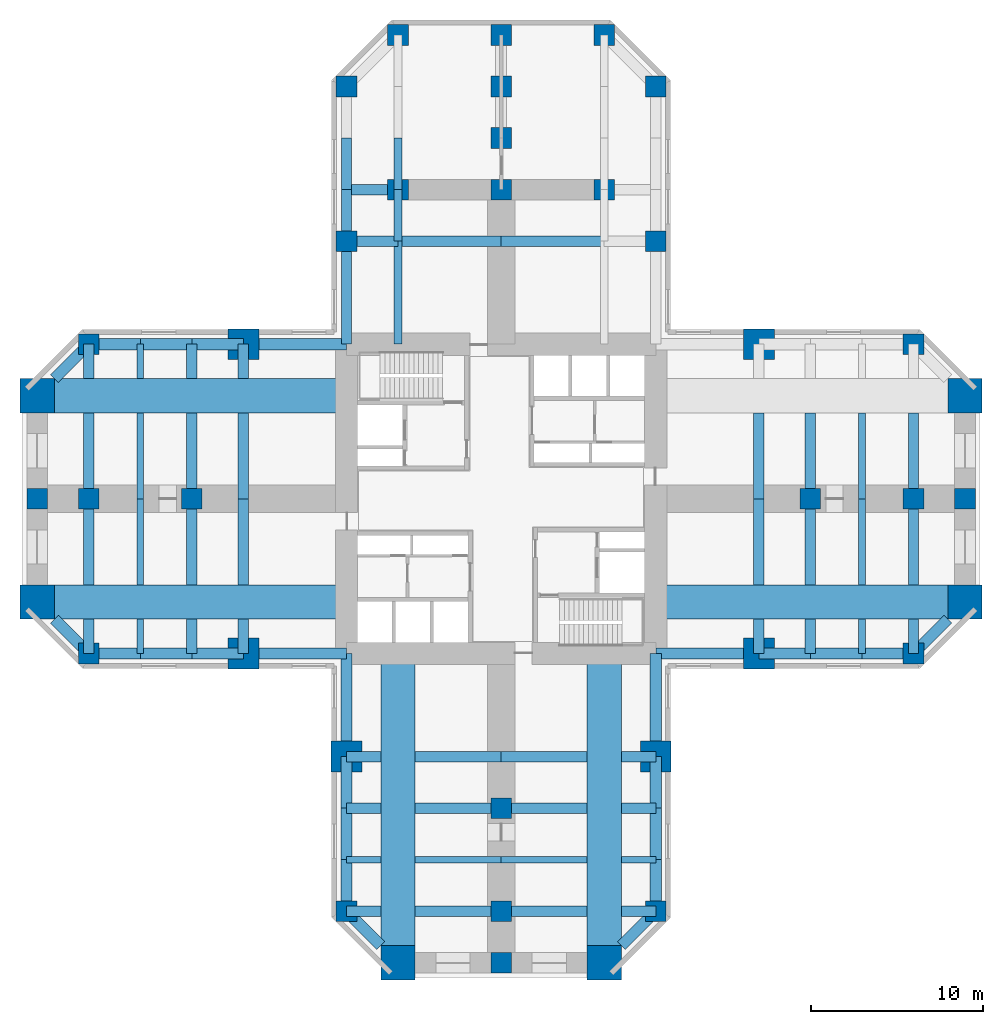
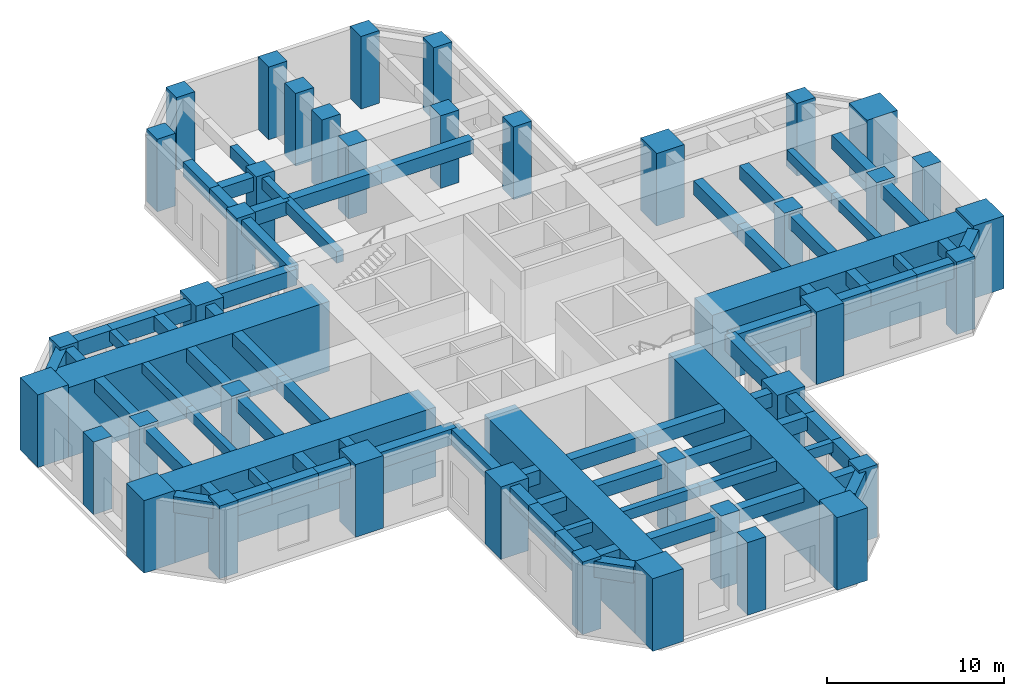
# One storey, part 1 of 6: 84 beams, 39 columns.
"""IFC4 building model written with IfcOpenShell, lengths in metres."""

from ifc_helpers import new_model, si_unit, direction, frame, origin, origin_2d, place, context, subcontext, project, spatial, rectangle, extrude, material, material_profile, profile_set, type_object, element, save


model = new_model("IFC4")

# Units and contexts
model_context = context("Model", 3, precision=1e-05, world=origin(), true_north=direction((0.0, 1.0)))
body_context = subcontext(model_context, "Body", "Model", "MODEL_VIEW")
ifc_project = project(units=[si_unit("LENGTHUNIT", "METRE"), si_unit("AREAUNIT", "SQUARE_METRE"), si_unit("VOLUMEUNIT", "CUBIC_METRE"), si_unit("PLANEANGLEUNIT", "RADIAN"), si_unit("MASSUNIT", "GRAM", prefix="KILO")], contexts=[model_context])

# Site, building, storey
site_placement = place(None, origin())
site = spatial("IfcSite", under=ifc_project, at=site_placement, CompositionType="ELEMENT")
building_placement = place(site_placement, origin())
building = spatial("IfcBuilding", under=site, at=building_placement, Name="Torre Cruceta", CompositionType="ELEMENT")
storey_placement = place(building_placement, frame((0.0, 0.0, 18.5)))
storey = spatial("IfcBuildingStorey", under=building, at=storey_placement, Name="L04", CompositionType="ELEMENT", Elevation=18.5)

# Columns
ifc_material_1 = material(Name="Concrete G60 (fck 60 MPa)", Category="concrete")
ifc_material_profile_1 = material_profile(ifc_material_1, rectangle(XDim=1.199951171875, YDim=1.199951171875, at=origin_2d()), Name="RC 1200X1200")
ifc_profile_set_1 = profile_set([ifc_material_profile_1], Name="Concrete G60 (fck 60 MPa)")
column_type_1 = type_object("IfcColumnType", Name="COLUMN RC 1200X1200", PredefinedType="COLUMN", material=ifc_profile_set_1)
for number, where, z_axis, x_axis, name in (
    (1, (9.0, 15.0, 0.0), (0.0, 0.0, 1.0), (1.0, 0.0, 0.0), "C3 L04 N side"),
    (2, (9.0, 24.0, 0.0), (0.0, 0.0, 1.0), (1.0, 0.0, 0.0), "C3 L04 N chamfer"),
    (3, (-9.0, 15.0, 0.0), (0.0, 0.0, 1.0), (1.0, 0.0, 0.0), "C3 L04 N side"),
    (4, (-9.0, 24.0, 0.0), (0.0, 0.0, 1.0), (1.0, 0.0, 0.0), "C3 L04 N chamfer"),
    (5, (6.0, 27.0, 0.0), (0.0, 0.0, 1.0), (1.0, 0.0, 0.0), "C3 L04 N tip"),
    (6, (0.0, 27.0, 0.0), (0.0, 0.0, 1.0), (1.0, 0.0, 0.0), "C3 L04 N tip"),
    (7, (-6.0, 27.0, 0.0), (0.0, 0.0, 1.0), (1.0, 0.0, 0.0), "C3 L04 N tip"),
    (8, (24.0, -9.0, 0.0), (0.0, 0.0, 1.0), (1.0, 0.0, 0.0), "C3 L04 E chamfer"),
    (9, (24.0, 9.0, 0.0), (0.0, 0.0, 1.0), (1.0, 0.0, 0.0), "C3 L04 E chamfer"),
    (10, (27.0, 0.0, 0.0), (0.0, 0.0, 1.0), (1.0, 0.0, 0.0), "C3 L04 E tip"),
    (11, (-9.0, -24.0, 0.0), (0.0, 0.0, 1.0), (1.0, 0.0, 0.0), "C3 L04 S chamfer"),
    (12, (9.0, -24.0, 0.0), (0.0, 0.0, 1.0), (1.0, 0.0, 0.0), "C3 L04 S chamfer"),
    (13, (0.0, -27.0, 0.0), (0.0, 0.0, 1.0), (1.0, 0.0, 0.0), "C3 L04 S tip"),
    (14, (-24.0, 9.0, 0.0), (0.0, 0.0, 1.0), (1.0, 0.0, 0.0), "C3 L04 W chamfer"),
    (15, (-24.0, -9.0, 0.0), (0.0, 0.0, 1.0), (1.0, 0.0, 0.0), "C3 L04 W chamfer"),
    (16, (-27.0, 0.0, 0.0), (0.0, 0.0, 1.0), (1.0, 0.0, 0.0), "C3 L04 W tip"),
    (17, (6.0, 18.0, 0.0), (0.0, 0.0, 1.0), (1.0, 0.0, 0.0), "C3 L04 N interior"),
    (18, (0.0, 18.0, 0.0), (0.0, 0.0, 1.0), (1.0, 0.0, 0.0), "C3 L04 N interior"),
    (19, (-6.0, 18.0, 0.0), (0.0, 0.0, 1.0), (1.0, 0.0, 0.0), "C3 L04 N interior"),
    (20, (0.0, 21.0, 0.0), (0.0, 0.0, 1.0), (1.0, 0.0, 0.0), "C3 L04 N interior"),
    (21, (0.0, 24.0, 0.0), (0.0, 0.0, 1.0), (1.0, 0.0, 0.0), "C3 L04 N interior"),
    (22, (18.0, 0.0, 0.0), (0.0, 0.0, 1.0), (1.0, 0.0, 0.0), "C3 L04 E interior"),
    (23, (24.0, 0.0, 0.0), (0.0, 0.0, 1.0), (1.0, 0.0, 0.0), "C3 L04 E interior"),
    (24, (0.0, -18.0, 0.0), (0.0, 0.0, 1.0), (1.0, 0.0, 0.0), "C3 L04 S interior"),
    (25, (0.0, -24.0, 0.0), (0.0, 0.0, 1.0), (1.0, 0.0, 0.0), "C3 L04 S interior"),
    (26, (-18.0, 0.0, 0.0), (0.0, 0.0, 1.0), (1.0, 0.0, 0.0), "C3 L04 W interior"),
    (27, (-24.0, 0.0, 0.0), (0.0, 0.0, 1.0), (1.0, 0.0, 0.0), "C3 L04 W interior"),
):
    element("IfcColumn", number, at=place(storey_placement, frame(where, z_axis=z_axis, x_axis=x_axis)), inside=storey, type_object=column_type_1, Name=name, PredefinedType="COLUMN", context=body_context, shape_type="SweptSolid", body=[
        extrude(rectangle(XDim=1.199951171875, YDim=1.199951171875, at=origin_2d()), origin(), (0.0, 0.0, 1.0), 5.0),
    ])
ifc_material_2 = material(Name="Concrete G60 (fck 60 MPa)", Category="concrete")
ifc_material_profile_2 = material_profile(ifc_material_2, rectangle(XDim=1.800048828125, YDim=1.800048828125, at=origin_2d()), Name="RC 1800X1800")
ifc_profile_set_2 = profile_set([ifc_material_profile_2], Name="Concrete G60 (fck 60 MPa)")
column_type_2 = type_object("IfcColumnType", Name="COLUMN RC 1800X1800", PredefinedType="COLUMN", material=ifc_profile_set_2)
for number, where, z_axis, x_axis, name in (
    (28, (15.0, -9.0, 0.0), (0.0, 0.0, 1.0), (1.0, 0.0, 0.0), "CB L04 E side"),
    (29, (15.0, 9.0, 0.0), (0.0, 0.0, 1.0), (1.0, 0.0, 0.0), "CB L04 E side"),
    (30, (-9.0, -15.0, 0.0), (0.0, 0.0, 1.0), (1.0, 0.0, 0.0), "CB L04 S side"),
    (31, (9.0, -15.0, 0.0), (0.0, 0.0, 1.0), (1.0, 0.0, 0.0), "CB L04 S side"),
    (32, (-15.0, 9.0, 0.0), (0.0, 0.0, 1.0), (1.0, 0.0, 0.0), "CB L04 W side"),
    (33, (-15.0, -9.0, 0.0), (0.0, 0.0, 1.0), (1.0, 0.0, 0.0), "CB L04 W side"),
):
    element("IfcColumn", number, at=place(storey_placement, frame(where, z_axis=z_axis, x_axis=x_axis)), inside=storey, type_object=column_type_2, Name=name, PredefinedType="COLUMN", context=body_context, shape_type="SweptSolid", body=[
        extrude(rectangle(XDim=1.800048828125, YDim=1.800048828125, at=origin_2d()), origin(), (0.0, 0.0, 1.0), 5.0),
    ])
ifc_material_3 = material(Name="Concrete G60 (fck 60 MPa)", Category="concrete")
ifc_material_profile_3 = material_profile(ifc_material_3, rectangle(XDim=2.0, YDim=2.0, at=origin_2d()), Name="RC 2000X2000")
ifc_profile_set_3 = profile_set([ifc_material_profile_3], Name="Concrete G60 (fck 60 MPa)")
column_type_3 = type_object("IfcColumnType", Name="COLUMN RC 2000X2000", PredefinedType="COLUMN", material=ifc_profile_set_3)
for number, where, z_axis, x_axis, name in (
    (34, (27.0, -6.0, 0.0), (0.0, 0.0, 1.0), (1.0, 0.0, 0.0), "CA L04 E tip"),
    (35, (27.0, 6.0, 0.0), (0.0, 0.0, 1.0), (1.0, 0.0, 0.0), "CA L04 E tip"),
    (36, (-6.0, -27.0, 0.0), (0.0, 0.0, 1.0), (1.0, 0.0, 0.0), "CA L04 S tip"),
    (37, (6.0, -27.0, 0.0), (0.0, 0.0, 1.0), (1.0, 0.0, 0.0), "CA L04 S tip"),
    (38, (-27.0, 6.0, 0.0), (0.0, 0.0, 1.0), (1.0, 0.0, 0.0), "CA L04 W tip"),
    (39, (-27.0, -6.0, 0.0), (0.0, 0.0, 1.0), (1.0, 0.0, 0.0), "CA L04 W tip"),
):
    element("IfcColumn", number, at=place(storey_placement, frame(where, z_axis=z_axis, x_axis=x_axis)), inside=storey, type_object=column_type_3, Name=name, PredefinedType="COLUMN", context=body_context, shape_type="SweptSolid", body=[
        extrude(rectangle(XDim=2.0, YDim=2.0, at=origin_2d()), origin(), (0.0, 0.0, 1.0), 5.0),
    ])

# Beams
ifc_material_4 = material(Name="Concrete G60 (fck 60 MPa)", Category="concrete")
ifc_material_profile_4 = material_profile(ifc_material_4, rectangle(XDim=0.449951171875, YDim=0.800048828125, at=origin_2d()), Name="RC 450X800")
ifc_profile_set_4 = profile_set([ifc_material_profile_4], Name="Concrete G60 (fck 60 MPa)")
beam_type_1 = type_object("IfcBeamType", Name="COLUMN LINE BEAM RC 450X800", PredefinedType="BEAM", material=ifc_profile_set_4)
beam_1_placement = place(storey_placement, frame((-6.0, 9.0, 4.39990234375), z_axis=(0.0, 1.0, 0.0), x_axis=(-1.0, 0.0, 0.0)))
element("IfcBeam", 40, at=beam_1_placement, inside=storey, type_object=beam_type_1, Name="LB1 L04 N col+ 1", PredefinedType="BEAM", context=body_context, shape_type="SweptSolid", body=[
    extrude(rectangle(XDim=0.449951171875, YDim=0.800048828125, at=origin_2d()), origin(), (0.0, 0.0, 1.0), 6.0),
])
for number, where, z_axis, x_axis, name in (
    (41, (-6.0, 15.0, 4.39990234375), (0.0, 1.0, 0.0), (-1.0, 0.0, 0.0), "LB1 L04 N col+ 2"),
    (42, (-6.0, 18.0, 4.39990234375), (0.0, 1.0, 0.0), (-1.0, 0.0, 0.0), "LB1 L04 N col+ 3"),
):
    element("IfcBeam", number, at=place(storey_placement, frame(where, z_axis=z_axis, x_axis=x_axis)), inside=storey, type_object=beam_type_1, Name=name, PredefinedType="BEAM", context=body_context, shape_type="SweptSolid", body=[
        extrude(rectangle(XDim=0.449951171875, YDim=0.800048828125, at=origin_2d()), origin(), (0.0, 0.0, 1.0), 3.0),
    ])
ifc_material_5 = material(Name="Concrete G60 (fck 60 MPa)", Category="concrete")
ifc_material_profile_5 = material_profile(ifc_material_5, rectangle(XDim=0.60009765625, YDim=0.949951171875, at=origin_2d()), Name="RC 600X950")
ifc_profile_set_5 = profile_set([ifc_material_profile_5], Name="Concrete G60 (fck 60 MPa)")
beam_type_2 = type_object("IfcBeamType", Name="CROSS BEAM RC 600X950", PredefinedType="BEAM", material=ifc_profile_set_5)
for number, where, z_axis, x_axis, name in (
    (43, (6.0, 15.0, 4.324951171875), (-1.0, 0.0, 0.0), (0.0, -1.0, 0.0), "GB1 L04 N cross15 2"),
    (44, (0.0, 15.0, 4.324951171875), (-1.0, 0.0, 0.0), (0.0, -1.0, 0.0), "GB1 L04 N cross15 3"),
):
    element("IfcBeam", number, at=place(storey_placement, frame(where, z_axis=z_axis, x_axis=x_axis)), inside=storey, type_object=beam_type_2, Name=name, PredefinedType="BEAM", context=body_context, shape_type="SweptSolid", body=[
        extrude(rectangle(XDim=0.60009765625, YDim=0.949951171875, at=origin_2d()), origin(), (0.0, 0.0, 1.0), 6.0),
    ])
for number, where, z_axis, x_axis, name in (
    (45, (-6.0, 15.0, 4.324951171875), (-1.0, 0.0, 0.0), (0.0, -1.0, 0.0), "GB1 L04 N cross15 4"),
    (46, (-6.0, 18.0, 4.324951171875), (-1.0, 0.0, 0.0), (0.0, -1.0, 0.0), "GB1 L04 N cross18b 1"),
):
    element("IfcBeam", number, at=place(storey_placement, frame(where, z_axis=z_axis, x_axis=x_axis)), inside=storey, type_object=beam_type_2, Name=name, PredefinedType="BEAM", context=body_context, shape_type="SweptSolid", body=[
        extrude(rectangle(XDim=0.60009765625, YDim=0.949951171875, at=origin_2d()), origin(), (0.0, 0.0, 1.0), 3.0),
    ])
beam_2_placement = place(storey_placement, frame((15.0, -9.0, 4.324951171875), z_axis=(0.0, 1.0, 0.0), x_axis=(-1.0, 0.0, 0.0)))
element("IfcBeam", 47, at=beam_2_placement, inside=storey, type_object=beam_type_2, Name="GB1 L04 E cross15 1", PredefinedType="BEAM", context=body_context, shape_type="SweptSolid", body=[
    extrude(rectangle(XDim=0.60009765625, YDim=0.949951171875, at=origin_2d()), origin(), (0.0, 0.0, 1.0), 2.0),
])
for number, where, z_axis, x_axis, name in (
    (48, (15.0, -5.0, 4.324951171875), (0.0, 1.0, 0.0), (-1.0, 0.0, 0.0), "GB1 L04 E cross15 2"),
    (49, (15.0, 0.0, 4.324951171875), (0.0, 1.0, 0.0), (-1.0, 0.0, 0.0), "GB1 L04 E cross15 3"),
):
    element("IfcBeam", number, at=place(storey_placement, frame(where, z_axis=z_axis, x_axis=x_axis)), inside=storey, type_object=beam_type_2, Name=name, PredefinedType="BEAM", context=body_context, shape_type="SweptSolid", body=[
        extrude(rectangle(XDim=0.60009765625, YDim=0.949951171875, at=origin_2d()), origin(), (0.0, 0.0, 1.0), 5.0),
    ])
beam_3_placement = place(storey_placement, frame((18.0, -9.0, 4.324951171875), z_axis=(0.0, 1.0, 0.0), x_axis=(-1.0, 0.0, 0.0)))
element("IfcBeam", 50, at=beam_3_placement, inside=storey, type_object=beam_type_2, Name="GB1 L04 E cross18 1", PredefinedType="BEAM", context=body_context, shape_type="SweptSolid", body=[
    extrude(rectangle(XDim=0.60009765625, YDim=0.949951171875, at=origin_2d()), origin(), (0.0, 0.0, 1.0), 2.0),
])
for number, where, z_axis, x_axis, name in (
    (51, (18.0, -5.0, 4.324951171875), (0.0, 1.0, 0.0), (-1.0, 0.0, 0.0), "GB1 L04 E cross18 2"),
    (52, (18.0, 0.0, 4.324951171875), (0.0, 1.0, 0.0), (-1.0, 0.0, 0.0), "GB1 L04 E cross18 3"),
):
    element("IfcBeam", number, at=place(storey_placement, frame(where, z_axis=z_axis, x_axis=x_axis)), inside=storey, type_object=beam_type_2, Name=name, PredefinedType="BEAM", context=body_context, shape_type="SweptSolid", body=[
        extrude(rectangle(XDim=0.60009765625, YDim=0.949951171875, at=origin_2d()), origin(), (0.0, 0.0, 1.0), 5.0),
    ])
beam_4_placement = place(storey_placement, frame((24.0, -9.0, 4.324951171875), z_axis=(0.0, 1.0, 0.0), x_axis=(-1.0, 0.0, 0.0)))
element("IfcBeam", 53, at=beam_4_placement, inside=storey, type_object=beam_type_2, Name="GB1 L04 E cross24 1", PredefinedType="BEAM", context=body_context, shape_type="SweptSolid", body=[
    extrude(rectangle(XDim=0.60009765625, YDim=0.949951171875, at=origin_2d()), origin(), (0.0, 0.0, 1.0), 2.0),
])
for number, where, z_axis, x_axis, name in (
    (54, (24.0, -5.0, 4.324951171875), (0.0, 1.0, 0.0), (-1.0, 0.0, 0.0), "GB1 L04 E cross24 2"),
    (55, (24.0, 0.0, 4.324951171875), (0.0, 1.0, 0.0), (-1.0, 0.0, 0.0), "GB1 L04 E cross24 3"),
):
    element("IfcBeam", number, at=place(storey_placement, frame(where, z_axis=z_axis, x_axis=x_axis)), inside=storey, type_object=beam_type_2, Name=name, PredefinedType="BEAM", context=body_context, shape_type="SweptSolid", body=[
        extrude(rectangle(XDim=0.60009765625, YDim=0.949951171875, at=origin_2d()), origin(), (0.0, 0.0, 1.0), 5.0),
    ])
beam_5_placement = place(storey_placement, frame((-9.0, -15.0, 4.324951171875), z_axis=(1.0, 0.0, 0.0), x_axis=(0.0, 1.0, 0.0)))
element("IfcBeam", 56, at=beam_5_placement, inside=storey, type_object=beam_type_2, Name="GB1 L04 S cross15 1", PredefinedType="BEAM", context=body_context, shape_type="SweptSolid", body=[
    extrude(rectangle(XDim=0.60009765625, YDim=0.949951171875, at=origin_2d()), origin(), (0.0, 0.0, 1.0), 2.0),
])
for number, where, z_axis, x_axis, name in (
    (57, (-5.0, -15.0, 4.324951171875), (1.0, 0.0, 0.0), (0.0, 1.0, 0.0), "GB1 L04 S cross15 2"),
    (58, (0.0, -15.0, 4.324951171875), (1.0, 0.0, 0.0), (0.0, 1.0, 0.0), "GB1 L04 S cross15 3"),
):
    element("IfcBeam", number, at=place(storey_placement, frame(where, z_axis=z_axis, x_axis=x_axis)), inside=storey, type_object=beam_type_2, Name=name, PredefinedType="BEAM", context=body_context, shape_type="SweptSolid", body=[
        extrude(rectangle(XDim=0.60009765625, YDim=0.949951171875, at=origin_2d()), origin(), (0.0, 0.0, 1.0), 5.0),
    ])
for number, where, z_axis, x_axis, name in (
    (59, (7.0, -15.0, 4.324951171875), (1.0, 0.0, 0.0), (0.0, 1.0, 0.0), "GB1 L04 S cross15 4"),
    (60, (-9.0, -18.0, 4.324951171875), (1.0, 0.0, 0.0), (0.0, 1.0, 0.0), "GB1 L04 S cross18 1"),
):
    element("IfcBeam", number, at=place(storey_placement, frame(where, z_axis=z_axis, x_axis=x_axis)), inside=storey, type_object=beam_type_2, Name=name, PredefinedType="BEAM", context=body_context, shape_type="SweptSolid", body=[
        extrude(rectangle(XDim=0.60009765625, YDim=0.949951171875, at=origin_2d()), origin(), (0.0, 0.0, 1.0), 2.0),
    ])
for number, where, z_axis, x_axis, name in (
    (61, (-5.0, -18.0, 4.324951171875), (1.0, 0.0, 0.0), (0.0, 1.0, 0.0), "GB1 L04 S cross18 2"),
    (62, (0.0, -18.0, 4.324951171875), (1.0, 0.0, 0.0), (0.0, 1.0, 0.0), "GB1 L04 S cross18 3"),
):
    element("IfcBeam", number, at=place(storey_placement, frame(where, z_axis=z_axis, x_axis=x_axis)), inside=storey, type_object=beam_type_2, Name=name, PredefinedType="BEAM", context=body_context, shape_type="SweptSolid", body=[
        extrude(rectangle(XDim=0.60009765625, YDim=0.949951171875, at=origin_2d()), origin(), (0.0, 0.0, 1.0), 5.0),
    ])
for number, where, z_axis, x_axis, name in (
    (63, (7.0, -18.0, 4.324951171875), (1.0, 0.0, 0.0), (0.0, 1.0, 0.0), "GB1 L04 S cross18 4"),
    (64, (-9.0, -24.0, 4.324951171875), (1.0, 0.0, 0.0), (0.0, 1.0, 0.0), "GB1 L04 S cross24 1"),
):
    element("IfcBeam", number, at=place(storey_placement, frame(where, z_axis=z_axis, x_axis=x_axis)), inside=storey, type_object=beam_type_2, Name=name, PredefinedType="BEAM", context=body_context, shape_type="SweptSolid", body=[
        extrude(rectangle(XDim=0.60009765625, YDim=0.949951171875, at=origin_2d()), origin(), (0.0, 0.0, 1.0), 2.0),
    ])
for number, where, z_axis, x_axis, name in (
    (65, (-5.0, -24.0, 4.324951171875), (1.0, 0.0, 0.0), (0.0, 1.0, 0.0), "GB1 L04 S cross24 2"),
    (66, (0.0, -24.0, 4.324951171875), (1.0, 0.0, 0.0), (0.0, 1.0, 0.0), "GB1 L04 S cross24 3"),
):
    element("IfcBeam", number, at=place(storey_placement, frame(where, z_axis=z_axis, x_axis=x_axis)), inside=storey, type_object=beam_type_2, Name=name, PredefinedType="BEAM", context=body_context, shape_type="SweptSolid", body=[
        extrude(rectangle(XDim=0.60009765625, YDim=0.949951171875, at=origin_2d()), origin(), (0.0, 0.0, 1.0), 5.0),
    ])
for number, where, z_axis, x_axis, name in (
    (67, (7.0, -24.0, 4.324951171875), (1.0, 0.0, 0.0), (0.0, 1.0, 0.0), "GB1 L04 S cross24 4"),
    (68, (-15.0, 9.0, 4.324951171875), (0.0, -1.0, 0.0), (1.0, 0.0, 0.0), "GB1 L04 W cross15 1"),
):
    element("IfcBeam", number, at=place(storey_placement, frame(where, z_axis=z_axis, x_axis=x_axis)), inside=storey, type_object=beam_type_2, Name=name, PredefinedType="BEAM", context=body_context, shape_type="SweptSolid", body=[
        extrude(rectangle(XDim=0.60009765625, YDim=0.949951171875, at=origin_2d()), origin(), (0.0, 0.0, 1.0), 2.0),
    ])
for number, where, z_axis, x_axis, name in (
    (69, (-15.0, 5.0, 4.324951171875), (0.0, -1.0, 0.0), (1.0, 0.0, 0.0), "GB1 L04 W cross15 2"),
    (70, (-15.0, 0.0, 4.324951171875), (0.0, -1.0, 0.0), (1.0, 0.0, 0.0), "GB1 L04 W cross15 3"),
):
    element("IfcBeam", number, at=place(storey_placement, frame(where, z_axis=z_axis, x_axis=x_axis)), inside=storey, type_object=beam_type_2, Name=name, PredefinedType="BEAM", context=body_context, shape_type="SweptSolid", body=[
        extrude(rectangle(XDim=0.60009765625, YDim=0.949951171875, at=origin_2d()), origin(), (0.0, 0.0, 1.0), 5.0),
    ])
for number, where, z_axis, x_axis, name in (
    (71, (-15.0, -7.0, 4.324951171875), (0.0, -1.0, 0.0), (1.0, 0.0, 0.0), "GB1 L04 W cross15 4"),
    (72, (-18.0, 9.0, 4.324951171875), (0.0, -1.0, 0.0), (1.0, 0.0, 0.0), "GB1 L04 W cross18 1"),
):
    element("IfcBeam", number, at=place(storey_placement, frame(where, z_axis=z_axis, x_axis=x_axis)), inside=storey, type_object=beam_type_2, Name=name, PredefinedType="BEAM", context=body_context, shape_type="SweptSolid", body=[
        extrude(rectangle(XDim=0.60009765625, YDim=0.949951171875, at=origin_2d()), origin(), (0.0, 0.0, 1.0), 2.0),
    ])
for number, where, z_axis, x_axis, name in (
    (73, (-18.0, 5.0, 4.324951171875), (0.0, -1.0, 0.0), (1.0, 0.0, 0.0), "GB1 L04 W cross18 2"),
    (74, (-18.0, 0.0, 4.324951171875), (0.0, -1.0, 0.0), (1.0, 0.0, 0.0), "GB1 L04 W cross18 3"),
):
    element("IfcBeam", number, at=place(storey_placement, frame(where, z_axis=z_axis, x_axis=x_axis)), inside=storey, type_object=beam_type_2, Name=name, PredefinedType="BEAM", context=body_context, shape_type="SweptSolid", body=[
        extrude(rectangle(XDim=0.60009765625, YDim=0.949951171875, at=origin_2d()), origin(), (0.0, 0.0, 1.0), 5.0),
    ])
for number, where, z_axis, x_axis, name in (
    (75, (-18.0, -7.0, 4.324951171875), (0.0, -1.0, 0.0), (1.0, 0.0, 0.0), "GB1 L04 W cross18 4"),
    (76, (-24.0, 9.0, 4.324951171875), (0.0, -1.0, 0.0), (1.0, 0.0, 0.0), "GB1 L04 W cross24 1"),
):
    element("IfcBeam", number, at=place(storey_placement, frame(where, z_axis=z_axis, x_axis=x_axis)), inside=storey, type_object=beam_type_2, Name=name, PredefinedType="BEAM", context=body_context, shape_type="SweptSolid", body=[
        extrude(rectangle(XDim=0.60009765625, YDim=0.949951171875, at=origin_2d()), origin(), (0.0, 0.0, 1.0), 2.0),
    ])
for number, where, z_axis, x_axis, name in (
    (77, (-24.0, 5.0, 4.324951171875), (0.0, -1.0, 0.0), (1.0, 0.0, 0.0), "GB1 L04 W cross24 2"),
    (78, (-24.0, 0.0, 4.324951171875), (0.0, -1.0, 0.0), (1.0, 0.0, 0.0), "GB1 L04 W cross24 3"),
):
    element("IfcBeam", number, at=place(storey_placement, frame(where, z_axis=z_axis, x_axis=x_axis)), inside=storey, type_object=beam_type_2, Name=name, PredefinedType="BEAM", context=body_context, shape_type="SweptSolid", body=[
        extrude(rectangle(XDim=0.60009765625, YDim=0.949951171875, at=origin_2d()), origin(), (0.0, 0.0, 1.0), 5.0),
    ])
beam_6_placement = place(storey_placement, frame((-24.0, -7.0, 4.324951171875), z_axis=(0.0, -1.0, 0.0), x_axis=(1.0, 0.0, 0.0)))
element("IfcBeam", 79, at=beam_6_placement, inside=storey, type_object=beam_type_2, Name="GB1 L04 W cross24 4", PredefinedType="BEAM", context=body_context, shape_type="SweptSolid", body=[
    extrude(rectangle(XDim=0.60009765625, YDim=0.949951171875, at=origin_2d()), origin(), (0.0, 0.0, 1.0), 2.0),
])
ifc_material_6 = material(Name="Concrete G60 (fck 60 MPa)", Category="concrete")
ifc_material_profile_6 = material_profile(ifc_material_6, rectangle(XDim=0.39990234375, YDim=0.699951171875, at=origin_2d()), Name="RC 400X700")
ifc_profile_set_6 = profile_set([ifc_material_profile_6], Name="Concrete G60 (fck 60 MPa)")
beam_type_3 = type_object("IfcBeamType", Name="SECONDARY BEAM RC 400X700", PredefinedType="JOIST", material=ifc_profile_set_6)
beam_7_placement = place(storey_placement, frame((21.0, -9.0, 4.449951171875), z_axis=(0.0, 1.0, 0.0), x_axis=(-1.0, 0.0, 0.0)))
element("IfcBeam", 80, at=beam_7_placement, inside=storey, type_object=beam_type_3, Name="JB1 L04 E sec21 1", PredefinedType="JOIST", context=body_context, shape_type="SweptSolid", body=[
    extrude(rectangle(XDim=0.39990234375, YDim=0.699951171875, at=origin_2d()), origin(), (0.0, 0.0, 1.0), 2.0),
])
for number, where, z_axis, x_axis, name in (
    (81, (21.0, -5.0, 4.449951171875), (0.0, 1.0, 0.0), (-1.0, 0.0, 0.0), "JB1 L04 E sec21 2"),
    (82, (21.0, 0.0, 4.449951171875), (0.0, 1.0, 0.0), (-1.0, 0.0, 0.0), "JB1 L04 E sec21 3"),
):
    element("IfcBeam", number, at=place(storey_placement, frame(where, z_axis=z_axis, x_axis=x_axis)), inside=storey, type_object=beam_type_3, Name=name, PredefinedType="JOIST", context=body_context, shape_type="SweptSolid", body=[
        extrude(rectangle(XDim=0.39990234375, YDim=0.699951171875, at=origin_2d()), origin(), (0.0, 0.0, 1.0), 5.0),
    ])
beam_8_placement = place(storey_placement, frame((-9.0, -21.0, 4.449951171875), z_axis=(1.0, 0.0, 0.0), x_axis=(0.0, 1.0, 0.0)))
element("IfcBeam", 83, at=beam_8_placement, inside=storey, type_object=beam_type_3, Name="JB1 L04 S sec21 1", PredefinedType="JOIST", context=body_context, shape_type="SweptSolid", body=[
    extrude(rectangle(XDim=0.39990234375, YDim=0.699951171875, at=origin_2d()), origin(), (0.0, 0.0, 1.0), 2.0),
])
for number, where, z_axis, x_axis, name in (
    (84, (-5.0, -21.0, 4.449951171875), (1.0, 0.0, 0.0), (0.0, 1.0, 0.0), "JB1 L04 S sec21 2"),
    (85, (0.0, -21.0, 4.449951171875), (1.0, 0.0, 0.0), (0.0, 1.0, 0.0), "JB1 L04 S sec21 3"),
):
    element("IfcBeam", number, at=place(storey_placement, frame(where, z_axis=z_axis, x_axis=x_axis)), inside=storey, type_object=beam_type_3, Name=name, PredefinedType="JOIST", context=body_context, shape_type="SweptSolid", body=[
        extrude(rectangle(XDim=0.39990234375, YDim=0.699951171875, at=origin_2d()), origin(), (0.0, 0.0, 1.0), 5.0),
    ])
for number, where, z_axis, x_axis, name in (
    (86, (7.0, -21.0, 4.449951171875), (1.0, 0.0, 0.0), (0.0, 1.0, 0.0), "JB1 L04 S sec21 4"),
    (87, (-21.0, 9.0, 4.449951171875), (0.0, -1.0, 0.0), (1.0, 0.0, 0.0), "JB1 L04 W sec21 1"),
):
    element("IfcBeam", number, at=place(storey_placement, frame(where, z_axis=z_axis, x_axis=x_axis)), inside=storey, type_object=beam_type_3, Name=name, PredefinedType="JOIST", context=body_context, shape_type="SweptSolid", body=[
        extrude(rectangle(XDim=0.39990234375, YDim=0.699951171875, at=origin_2d()), origin(), (0.0, 0.0, 1.0), 2.0),
    ])
for number, where, z_axis, x_axis, name in (
    (88, (-21.0, 5.0, 4.449951171875), (0.0, -1.0, 0.0), (1.0, 0.0, 0.0), "JB1 L04 W sec21 2"),
    (89, (-21.0, 0.0, 4.449951171875), (0.0, -1.0, 0.0), (1.0, 0.0, 0.0), "JB1 L04 W sec21 3"),
):
    element("IfcBeam", number, at=place(storey_placement, frame(where, z_axis=z_axis, x_axis=x_axis)), inside=storey, type_object=beam_type_3, Name=name, PredefinedType="JOIST", context=body_context, shape_type="SweptSolid", body=[
        extrude(rectangle(XDim=0.39990234375, YDim=0.699951171875, at=origin_2d()), origin(), (0.0, 0.0, 1.0), 5.0),
    ])
beam_9_placement = place(storey_placement, frame((-21.0, -7.0, 4.449951171875), z_axis=(0.0, -1.0, 0.0), x_axis=(1.0, 0.0, 0.0)))
element("IfcBeam", 90, at=beam_9_placement, inside=storey, type_object=beam_type_3, Name="JB1 L04 W sec21 4", PredefinedType="JOIST", context=body_context, shape_type="SweptSolid", body=[
    extrude(rectangle(XDim=0.39990234375, YDim=0.699951171875, at=origin_2d()), origin(), (0.0, 0.0, 1.0), 2.0),
])
ifc_material_7 = material(Name="Concrete G60 (fck 60 MPa)", Category="concrete")
ifc_material_profile_7 = material_profile(ifc_material_7, rectangle(XDim=0.60009765625, YDim=1.0, at=origin_2d()), Name="RC 600X1000")
ifc_profile_set_7 = profile_set([ifc_material_profile_7], Name="Concrete G60 (fck 60 MPa)")
beam_type_4 = type_object("IfcBeamType", Name="SPANDREL BEAM RC 600X1000", PredefinedType="SPANDREL", material=ifc_profile_set_7)
beam_10_placement = place(storey_placement, frame((-9.0, 9.0, 4.300048828125), z_axis=(0.0, 1.0, 0.0), x_axis=(-1.0, 0.0, 0.0)))
element("IfcBeam", 91, at=beam_10_placement, inside=storey, type_object=beam_type_4, Name="SB1 L04 N side+ 1", PredefinedType="SPANDREL", context=body_context, shape_type="SweptSolid", body=[
    extrude(rectangle(XDim=0.60009765625, YDim=1.0, at=origin_2d()), origin(), (0.0, 0.0, 1.0), 6.0),
])
for number, where, z_axis, x_axis, name in (
    (92, (-9.0, 15.0, 4.300048828125), (0.0, 1.0, 0.0), (-1.0, 0.0, 0.0), "SB1 L04 N side+ 2"),
    (93, (-9.0, 18.0, 4.300048828125), (0.0, 1.0, 0.0), (-1.0, 0.0, 0.0), "SB1 L04 N side+ 3"),
):
    element("IfcBeam", number, at=place(storey_placement, frame(where, z_axis=z_axis, x_axis=x_axis)), inside=storey, type_object=beam_type_4, Name=name, PredefinedType="SPANDREL", context=body_context, shape_type="SweptSolid", body=[
        extrude(rectangle(XDim=0.60009765625, YDim=1.0, at=origin_2d()), origin(), (0.0, 0.0, 1.0), 3.0),
    ])
ifc_material_8 = material(Name="Concrete G60 (fck 60 MPa)", Category="concrete")
ifc_material_profile_8 = material_profile(ifc_material_8, rectangle(XDim=0.64990234375, YDim=1.10009765625, at=origin_2d()), Name="RC 650X1100")
ifc_profile_set_8 = profile_set([ifc_material_profile_8], Name="Concrete G60 (fck 60 MPa)")
beam_type_5 = type_object("IfcBeamType", Name="SPANDREL BEAM RC 650X1100", PredefinedType="SPANDREL", material=ifc_profile_set_8)
beam_11_placement = place(storey_placement, frame((9.0, -9.0, 4.25), z_axis=(1.0, 0.0, 0.0), x_axis=(0.0, 1.0, 0.0)))
element("IfcBeam", 94, at=beam_11_placement, inside=storey, type_object=beam_type_5, Name="SB3 L04 E side- 1", PredefinedType="SPANDREL", context=body_context, shape_type="SweptSolid", body=[
    extrude(rectangle(XDim=0.64990234375, YDim=1.10009765625, at=origin_2d()), origin(), (0.0, 0.0, 1.0), 6.0),
])
for number, where, z_axis, x_axis, name in (
    (95, (15.0, -9.0, 4.25), (1.0, 0.0, 0.0), (0.0, 1.0, 0.0), "SB3 L04 E side- 2"),
    (96, (18.0, -9.0, 4.25), (1.0, 0.0, 0.0), (0.0, 1.0, 0.0), "SB3 L04 E side- 3"),
    (97, (21.0, -9.0, 4.25), (1.0, 0.0, 0.0), (0.0, 1.0, 0.0), "SB3 L04 E side- 4"),
):
    element("IfcBeam", number, at=place(storey_placement, frame(where, z_axis=z_axis, x_axis=x_axis)), inside=storey, type_object=beam_type_5, Name=name, PredefinedType="SPANDREL", context=body_context, shape_type="SweptSolid", body=[
        extrude(rectangle(XDim=0.64990234375, YDim=1.10009765625, at=origin_2d()), origin(), (0.0, 0.0, 1.0), 3.0),
    ])
beam_12_placement = place(storey_placement, frame((24.0, -9.0, 4.25), z_axis=(0.707106781187, 0.707106781187, 0.0), x_axis=(-0.707106781187, 0.707106781187, 0.0)))
element("IfcBeam", 98, at=beam_12_placement, inside=storey, type_object=beam_type_5, Name="SB3 L04 E side- 5", PredefinedType="SPANDREL", context=body_context, shape_type="SweptSolid", body=[
    extrude(rectangle(XDim=0.64990234375, YDim=1.10009765625, at=origin_2d()), origin(), (0.0, 0.0, 1.0), 2.828369140625),
])
beam_13_placement = place(storey_placement, frame((-9.0, -9.0, 4.25), z_axis=(0.0, -1.0, 0.0), x_axis=(1.0, 0.0, 0.0)))
element("IfcBeam", 99, at=beam_13_placement, inside=storey, type_object=beam_type_5, Name="SB3 L04 S side- 1", PredefinedType="SPANDREL", context=body_context, shape_type="SweptSolid", body=[
    extrude(rectangle(XDim=0.64990234375, YDim=1.10009765625, at=origin_2d()), origin(), (0.0, 0.0, 1.0), 6.0),
])
for number, where, z_axis, x_axis, name in (
    (100, (-9.0, -15.0, 4.25), (0.0, -1.0, 0.0), (1.0, 0.0, 0.0), "SB3 L04 S side- 2"),
    (101, (-9.0, -18.0, 4.25), (0.0, -1.0, 0.0), (1.0, 0.0, 0.0), "SB3 L04 S side- 3"),
    (102, (-9.0, -21.0, 4.25), (0.0, -1.0, 0.0), (1.0, 0.0, 0.0), "SB3 L04 S side- 4"),
):
    element("IfcBeam", number, at=place(storey_placement, frame(where, z_axis=z_axis, x_axis=x_axis)), inside=storey, type_object=beam_type_5, Name=name, PredefinedType="SPANDREL", context=body_context, shape_type="SweptSolid", body=[
        extrude(rectangle(XDim=0.64990234375, YDim=1.10009765625, at=origin_2d()), origin(), (0.0, 0.0, 1.0), 3.0),
    ])
beam_14_placement = place(storey_placement, frame((-9.0, -24.0, 4.25), z_axis=(0.707106781187, -0.707106781187, 0.0), x_axis=(0.707106781187, 0.707106781187, 0.0)))
element("IfcBeam", 103, at=beam_14_placement, inside=storey, type_object=beam_type_5, Name="SB3 L04 S side- 5", PredefinedType="SPANDREL", context=body_context, shape_type="SweptSolid", body=[
    extrude(rectangle(XDim=0.64990234375, YDim=1.10009765625, at=origin_2d()), origin(), (0.0, 0.0, 1.0), 2.828369140625),
])
beam_15_placement = place(storey_placement, frame((9.0, -9.0, 4.25), z_axis=(0.0, -1.0, 0.0), x_axis=(1.0, 0.0, 0.0)))
element("IfcBeam", 104, at=beam_15_placement, inside=storey, type_object=beam_type_5, Name="SB3 L04 S side+ 1", PredefinedType="SPANDREL", context=body_context, shape_type="SweptSolid", body=[
    extrude(rectangle(XDim=0.64990234375, YDim=1.10009765625, at=origin_2d()), origin(), (0.0, 0.0, 1.0), 6.0),
])
for number, where, z_axis, x_axis, name in (
    (105, (9.0, -15.0, 4.25), (0.0, -1.0, 0.0), (1.0, 0.0, 0.0), "SB3 L04 S side+ 2"),
    (106, (9.0, -18.0, 4.25), (0.0, -1.0, 0.0), (1.0, 0.0, 0.0), "SB3 L04 S side+ 3"),
    (107, (9.0, -21.0, 4.25), (0.0, -1.0, 0.0), (1.0, 0.0, 0.0), "SB3 L04 S side+ 4"),
):
    element("IfcBeam", number, at=place(storey_placement, frame(where, z_axis=z_axis, x_axis=x_axis)), inside=storey, type_object=beam_type_5, Name=name, PredefinedType="SPANDREL", context=body_context, shape_type="SweptSolid", body=[
        extrude(rectangle(XDim=0.64990234375, YDim=1.10009765625, at=origin_2d()), origin(), (0.0, 0.0, 1.0), 3.0),
    ])
beam_16_placement = place(storey_placement, frame((9.0, -24.0, 4.25), z_axis=(-0.707106781187, -0.707106781187, 0.0), x_axis=(0.707106781187, -0.707106781187, 0.0)))
element("IfcBeam", 108, at=beam_16_placement, inside=storey, type_object=beam_type_5, Name="SB3 L04 S side+ 5", PredefinedType="SPANDREL", context=body_context, shape_type="SweptSolid", body=[
    extrude(rectangle(XDim=0.64990234375, YDim=1.10009765625, at=origin_2d()), origin(), (0.0, 0.0, 1.0), 2.828369140625),
])
beam_17_placement = place(storey_placement, frame((-9.0, 9.0, 4.25), z_axis=(-1.0, 0.0, 0.0), x_axis=(0.0, -1.0, 0.0)))
element("IfcBeam", 109, at=beam_17_placement, inside=storey, type_object=beam_type_5, Name="SB3 L04 W side- 1", PredefinedType="SPANDREL", context=body_context, shape_type="SweptSolid", body=[
    extrude(rectangle(XDim=0.64990234375, YDim=1.10009765625, at=origin_2d()), origin(), (0.0, 0.0, 1.0), 6.0),
])
for number, where, z_axis, x_axis, name in (
    (110, (-15.0, 9.0, 4.25), (-1.0, 0.0, 0.0), (0.0, -1.0, 0.0), "SB3 L04 W side- 2"),
    (111, (-18.0, 9.0, 4.25), (-1.0, 0.0, 0.0), (0.0, -1.0, 0.0), "SB3 L04 W side- 3"),
    (112, (-21.0, 9.0, 4.25), (-1.0, 0.0, 0.0), (0.0, -1.0, 0.0), "SB3 L04 W side- 4"),
):
    element("IfcBeam", number, at=place(storey_placement, frame(where, z_axis=z_axis, x_axis=x_axis)), inside=storey, type_object=beam_type_5, Name=name, PredefinedType="SPANDREL", context=body_context, shape_type="SweptSolid", body=[
        extrude(rectangle(XDim=0.64990234375, YDim=1.10009765625, at=origin_2d()), origin(), (0.0, 0.0, 1.0), 3.0),
    ])
beam_18_placement = place(storey_placement, frame((-24.0, 9.0, 4.25), z_axis=(-0.707106781187, -0.707106781187, 0.0), x_axis=(0.707106781187, -0.707106781187, 0.0)))
element("IfcBeam", 113, at=beam_18_placement, inside=storey, type_object=beam_type_5, Name="SB3 L04 W side- 5", PredefinedType="SPANDREL", context=body_context, shape_type="SweptSolid", body=[
    extrude(rectangle(XDim=0.64990234375, YDim=1.10009765625, at=origin_2d()), origin(), (0.0, 0.0, 1.0), 2.828369140625),
])
beam_19_placement = place(storey_placement, frame((-9.0, -9.0, 4.25), z_axis=(-1.0, 0.0, 0.0), x_axis=(0.0, -1.0, 0.0)))
element("IfcBeam", 114, at=beam_19_placement, inside=storey, type_object=beam_type_5, Name="SB3 L04 W side+ 1", PredefinedType="SPANDREL", context=body_context, shape_type="SweptSolid", body=[
    extrude(rectangle(XDim=0.64990234375, YDim=1.10009765625, at=origin_2d()), origin(), (0.0, 0.0, 1.0), 6.0),
])
for number, where, z_axis, x_axis, name in (
    (115, (-15.0, -9.0, 4.25), (-1.0, 0.0, 0.0), (0.0, -1.0, 0.0), "SB3 L04 W side+ 2"),
    (116, (-18.0, -9.0, 4.25), (-1.0, 0.0, 0.0), (0.0, -1.0, 0.0), "SB3 L04 W side+ 3"),
    (117, (-21.0, -9.0, 4.25), (-1.0, 0.0, 0.0), (0.0, -1.0, 0.0), "SB3 L04 W side+ 4"),
):
    element("IfcBeam", number, at=place(storey_placement, frame(where, z_axis=z_axis, x_axis=x_axis)), inside=storey, type_object=beam_type_5, Name=name, PredefinedType="SPANDREL", context=body_context, shape_type="SweptSolid", body=[
        extrude(rectangle(XDim=0.64990234375, YDim=1.10009765625, at=origin_2d()), origin(), (0.0, 0.0, 1.0), 3.0),
    ])
beam_20_placement = place(storey_placement, frame((-24.0, -9.0, 4.25), z_axis=(-0.707106781187, 0.707106781187, 0.0), x_axis=(-0.707106781187, -0.707106781187, 0.0)))
element("IfcBeam", 118, at=beam_20_placement, inside=storey, type_object=beam_type_5, Name="SB3 L04 W side+ 5", PredefinedType="SPANDREL", context=body_context, shape_type="SweptSolid", body=[
    extrude(rectangle(XDim=0.64990234375, YDim=1.10009765625, at=origin_2d()), origin(), (0.0, 0.0, 1.0), 2.828369140625),
])
ifc_material_9 = material(Name="Concrete G60 (fck 60 MPa)", Category="concrete")
ifc_material_profile_9 = material_profile(ifc_material_9, rectangle(XDim=2.0, YDim=4.800048828125, at=origin_2d()), Name="RC 2000X4800")
ifc_profile_set_9 = profile_set([ifc_material_profile_9], Name="Concrete G60 (fck 60 MPa)")
beam_type_6 = type_object("IfcBeamType", Name="TRANSFER GIRDER RC 2000X4800", PredefinedType="BEAM", material=ifc_profile_set_9)
for number, where, z_axis, x_axis, name in (
    (119, (9.0, -6.0, 2.39990234375), (1.0, 0.0, 0.0), (0.0, 1.0, 0.0), "TG1 L04 E col-"),
    (120, (-6.0, -9.0, 2.39990234375), (0.0, -1.0, 0.0), (1.0, 0.0, 0.0), "TG1 L04 S col-"),
    (121, (6.0, -9.0, 2.39990234375), (0.0, -1.0, 0.0), (1.0, 0.0, 0.0), "TG1 L04 S col+"),
    (122, (-9.0, 6.0, 2.39990234375), (-1.0, 0.0, 0.0), (0.0, -1.0, 0.0), "TG1 L04 W col-"),
    (123, (-9.0, -6.0, 2.39990234375), (-1.0, 0.0, 0.0), (0.0, -1.0, 0.0), "TG1 L04 W col+"),
):
    element("IfcBeam", number, at=place(storey_placement, frame(where, z_axis=z_axis, x_axis=x_axis)), inside=storey, type_object=beam_type_6, Name=name, PredefinedType="BEAM", context=body_context, shape_type="SweptSolid", body=[
        extrude(rectangle(XDim=2.0, YDim=4.800048828125, at=origin_2d()), origin(), (0.0, 0.0, 1.0), 18.0),
    ])

save(model, "model.ifc")
